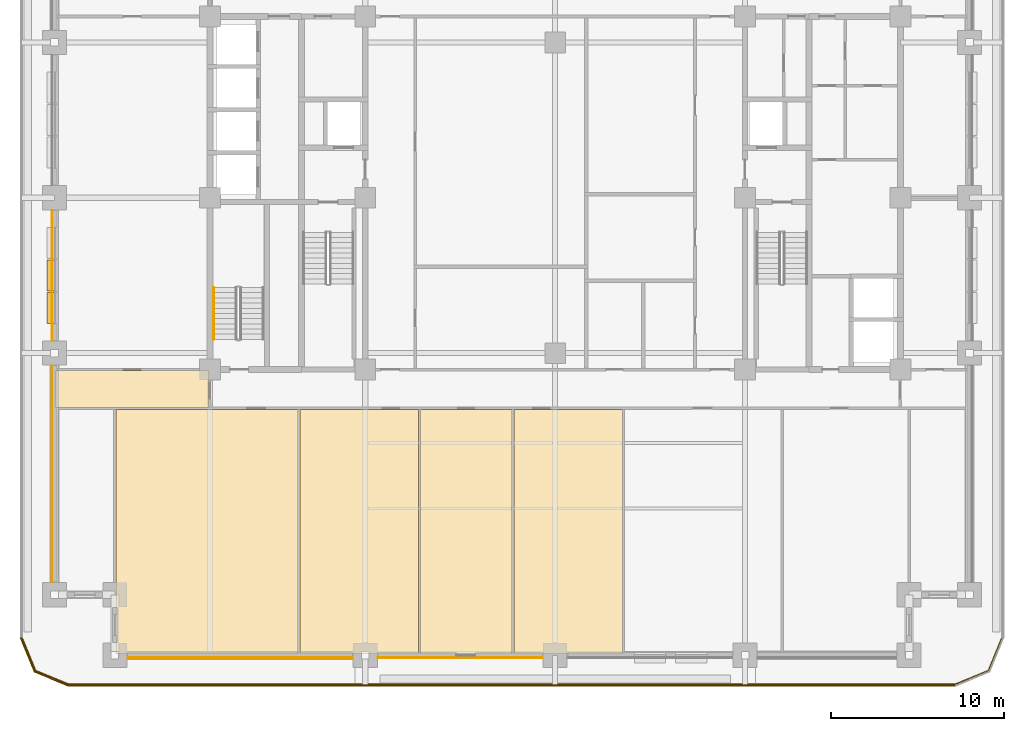
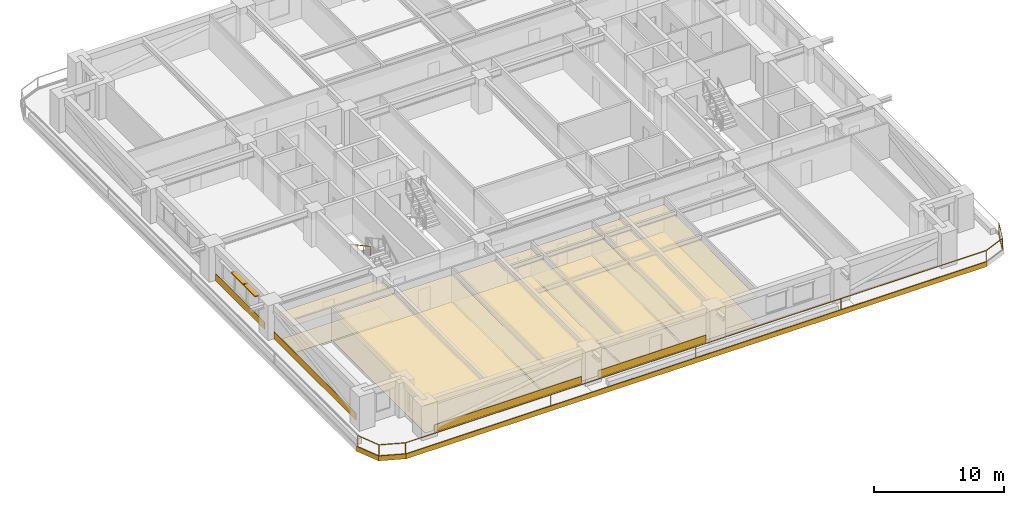
# One storey, part 8 of 16: 17 coverings, 2 railings, 2 shading devices.
"""IFC4 building model written with IfcOpenShell, lengths in metres."""

from ifc_helpers import new_model, si_unit, direction, frame, frame_2d, origin, origin_2d, place, context, subcontext, project, spatial, polyline, rectangle, outline, extrude, material, layer, layer_set, type_object, element, save


model = new_model("IFC4")

# Units and contexts
model_context = context("Model", 3, precision=1e-05, world=origin(), true_north=direction((0.0, 1.0)))
body_context = subcontext(model_context, "Body", "Model", "MODEL_VIEW")
ifc_project = project(units=[si_unit("LENGTHUNIT", "METRE"), si_unit("AREAUNIT", "SQUARE_METRE"), si_unit("VOLUMEUNIT", "CUBIC_METRE"), si_unit("PLANEANGLEUNIT", "RADIAN"), si_unit("MASSUNIT", "GRAM", prefix="KILO")], contexts=[model_context])

# Site, building, storey
site_placement = place(None, origin())
site = spatial("IfcSite", under=ifc_project, at=site_placement, CompositionType="ELEMENT")
building_placement = place(site_placement, origin())
building = spatial("IfcBuilding", under=site, at=building_placement, Name="Zulmaris Gate Convention Tower", CompositionType="ELEMENT")
storey_placement = place(building_placement, frame((0.0, 0.0, 67.89990234375)))
storey = spatial("IfcBuildingStorey", under=building, at=storey_placement, Name="L16", CompositionType="ELEMENT", Elevation=67.89990234375)

# Coverings
ifc_material_1 = material(Name="Precast concrete C40/50", Category="concrete")
ifc_layer_1 = layer(ifc_material_1, 0.0400390625, Name="Precast concrete C40/50")
ifc_layer_set_1 = layer_set([ifc_layer_1], Name="Precast concrete C40/50")
covering_type_1 = type_object("IfcCoveringType", Name="CLAD-SPANDREL-PRECAST", PredefinedType="CLADDING", material=ifc_layer_set_1)
covering_1_placement = place(storey_placement, frame((-24.77001953125, -26.64990234375, 0.0), z_axis=(0.0, 0.0, 1.0), x_axis=(1.0, 0.0, 0.0)))
element("IfcCovering", 1, at=covering_1_placement, inside=storey, type_object=covering_type_1, Name="CLD-L16-S-0_0", PredefinedType="CLADDING", context=body_context, shape_type="SweptSolid", body=[
    extrude(rectangle(XDim=13.0400390625, YDim=0.0400390625, at=frame_2d((6.52001953125, 0.0))), origin(), (0.0, 0.0, 1.0), 0.679931640625),
])
covering_2_placement = place(storey_placement, frame((-10.27001953125, -26.64990234375, 0.0), z_axis=(0.0, 0.0, 1.0), x_axis=(1.0, 0.0, 0.0)))
element("IfcCovering", 2, at=covering_2_placement, inside=storey, type_object=covering_type_1, Name="CLD-L16-S-1_0", PredefinedType="CLADDING", context=body_context, shape_type="SweptSolid", body=[
    extrude(rectangle(XDim=9.5400390625, YDim=0.0400390625, at=frame_2d((4.77001953125, 0.0))), origin(), (0.0, 0.0, 1.0), 0.679931640625),
])
covering_3_placement = place(storey_placement, frame((-29.14990234375, -9.72998046875, 0.0), z_axis=(0.0, 0.0, 1.0), x_axis=(0.0, -1.0, 0.0)))
element("IfcCovering", 3, at=covering_3_placement, inside=storey, type_object=covering_type_1, Name="CLD-L16-W-0_0", PredefinedType="CLADDING", context=body_context, shape_type="SweptSolid", body=[
    extrude(rectangle(XDim=12.5400390625, YDim=0.0400390625, at=frame_2d((6.27001953125, 0.0))), origin(), (0.0, 0.0, 1.0), 0.679931640625),
])
covering_4_placement = place(storey_placement, frame((-29.14990234375, -0.72998046875, 0.0), z_axis=(0.0, 0.0, 1.0), x_axis=(0.0, -1.0, 0.0)))
element("IfcCovering", 4, at=covering_4_placement, inside=storey, type_object=covering_type_1, Name="CLD-L16-W-1_0", PredefinedType="CLADDING", context=body_context, shape_type="SweptSolid", body=[
    extrude(rectangle(XDim=7.5400390625, YDim=0.0400390625, at=frame_2d((3.77001953125, 0.0))), origin(), (0.0, 0.0, 1.0), 0.679931640625),
])
ifc_material_2 = material(Name="White Glazed Architectural Precast Concrete C40/50", Category="concrete")
ifc_layer_2 = layer(ifc_material_2, 0.080078125, Name="White Glazed Architectural Precast Concrete C40/50")
ifc_layer_set_2 = layer_set([ifc_layer_2], Name="White Glazed Architectural Precast Concrete C40/50")
covering_type_2 = type_object("IfcCoveringType", Name="CLAD-TRAY-FASCIA", PredefinedType="CLADDING", material=ifc_layer_set_2)
covering_5_placement = place(storey_placement, frame((-30.962890625, -25.484619140625, -0.2900390625), z_axis=(0.0, 0.0, 1.0), x_axis=(0.382656984709, -0.923890487046, 0.0)))
element("IfcCovering", 5, at=covering_5_placement, inside=storey, type_object=covering_type_2, Name="FSC-L16-TR-00", PredefinedType="CLADDING", context=body_context, shape_type="SweptSolid", body=[
    extrude(rectangle(XDim=2.14306640625, YDim=0.080078125, at=frame_2d((1.071533203125, 0.0))), origin(), (0.0, 0.0, 1.0), 0.4599609375),
])
covering_6_placement = place(storey_placement, frame((-30.16455078125, -27.44287109375, -0.2900390625), z_axis=(0.0, 0.0, 1.0), x_axis=(0.923873803533, -0.382697263049, 0.0)))
element("IfcCovering", 6, at=covering_6_placement, inside=storey, type_object=covering_type_2, Name="FSC-L16-TR-01", PredefinedType="CLADDING", context=body_context, shape_type="SweptSolid", body=[
    extrude(rectangle(XDim=2.142822265625, YDim=0.080078125, at=frame_2d((1.0712890625, 0.0))), origin(), (0.0, 0.0, 1.0), 0.4599609375),
])
covering_7_placement = place(storey_placement, frame((-28.199951171875, -28.260009765625, -0.2900390625), z_axis=(0.0, 0.0, 1.0), x_axis=(1.0, 0.0, 0.0)))
element("IfcCovering", 7, at=covering_7_placement, inside=storey, type_object=covering_type_2, Name="FSC-L16-TR-02", PredefinedType="CLADDING", context=body_context, shape_type="SweptSolid", body=[
    extrude(rectangle(XDim=51.39990234375, YDim=0.080078125, at=frame_2d((25.699951171875, 0.0))), origin(), (0.0, 0.0, 1.0), 0.4599609375),
])
ifc_material_3 = material(Name="Mineral Fibre Acoustic Ceiling Tile")
ifc_layer_3 = layer(ifc_material_3, 0.02001953125, Name="Mineral Fibre Acoustic Ceiling Tile")
ifc_layer_set_3 = layer_set([ifc_layer_3], Name="Mineral Fibre Acoustic Ceiling Tile")
covering_type_3 = type_object("IfcCoveringType", Name="CLG-ACOUSTIC-600", PredefinedType="CEILING", material=ifc_layer_set_3)
covering_8_placement = place(storey_placement, frame((0.0, 0.0, 2.552978515625)))
element("IfcCovering", 8, at=covering_8_placement, inside=storey, type_object=covering_type_3, Name="CLG-L16-R40", PredefinedType="CEILING", context=body_context, shape_type="SweptSolid", body=[
    extrude(outline(polyline([(-25.43994140625, -26.43994140625), (-14.909912109375, -26.43994140625), (-14.909912109375, -12.260009765625), (-25.43994140625, -12.260009765625), (-25.43994140625, -26.43994140625)])), origin(), (0.0, 0.0, 1.0), 0.02001953125),
])
covering_9_placement = place(storey_placement, frame((0.0, 0.0, 2.552978515625)))
element("IfcCovering", 9, at=covering_9_placement, inside=storey, type_object=covering_type_3, Name="CLG-L16-R41", PredefinedType="CEILING", context=body_context, shape_type="SweptSolid", body=[
    extrude(outline(polyline([(-14.7900390625, -26.43994140625), (-7.909912109375, -26.43994140625), (-7.909912109375, -12.260009765625), (-14.7900390625, -12.260009765625), (-14.7900390625, -26.43994140625)])), origin(), (0.0, 0.0, 1.0), 0.02001953125),
])
covering_10_placement = place(storey_placement, frame((0.0, 0.0, 2.60498046875)))
element("IfcCovering", 10, at=covering_10_placement, inside=storey, type_object=covering_type_3, Name="CLG-L16-R42", PredefinedType="CEILING", context=body_context, shape_type="SweptSolid", body=[
    extrude(outline(polyline([(-7.7900390625, -26.43994140625), (-2.510009765625, -26.43994140625), (-2.510009765625, -12.260009765625), (-7.7900390625, -12.260009765625), (-7.7900390625, -26.43994140625)])), origin(), (0.0, 0.0, 1.0), 0.02001953125),
])
covering_11_placement = place(storey_placement, frame((0.0, 0.0, 2.552978515625)))
element("IfcCovering", 11, at=covering_11_placement, inside=storey, type_object=covering_type_3, Name="CLG-L16-R43", PredefinedType="CEILING", context=body_context, shape_type="SweptSolid", body=[
    extrude(outline(polyline([(-2.389892578125, -26.43994140625), (3.889892578125, -26.43994140625), (3.889892578125, -12.260009765625), (-2.389892578125, -12.260009765625), (-2.389892578125, -26.43994140625)])), origin(), (0.0, 0.0, 1.0), 0.02001953125),
])
covering_12_placement = place(storey_placement, frame((0.0, 0.0, 2.552978515625)))
element("IfcCovering", 12, at=covering_12_placement, inside=storey, type_object=covering_type_3, Name="CLG-L16-R53", PredefinedType="CEILING", context=body_context, shape_type="SweptSolid", body=[
    extrude(outline(polyline([(-28.93994140625, -12.139892578125), (-20.06005859375, -12.139892578125), (-20.06005859375, -10.010009765625), (-28.93994140625, -10.010009765625), (-28.93994140625, -12.139892578125)])), origin(), (0.0, 0.0, 1.0), 0.02001953125),
])
ifc_material_4 = material(Name="Woven Acoustic Wool Carpet Tile")
ifc_layer_4 = layer(ifc_material_4, 0.02001953125, Name="Woven Acoustic Wool Carpet Tile")
ifc_layer_set_4 = layer_set([ifc_layer_4], Name="Woven Acoustic Wool Carpet Tile")
covering_type_4 = type_object("IfcCoveringType", Name="FLR-CARPET-12", PredefinedType="FLOORING", material=ifc_layer_set_4)
covering_13_placement = place(storey_placement, origin())
element("IfcCovering", 13, at=covering_13_placement, inside=storey, type_object=covering_type_4, Name="FLR-L16-R40", PredefinedType="FLOORING", context=body_context, shape_type="SweptSolid", body=[
    extrude(outline(polyline([(-25.43994140625, -26.43994140625), (-14.909912109375, -26.43994140625), (-14.909912109375, -12.260009765625), (-25.43994140625, -12.260009765625), (-25.43994140625, -26.43994140625)])), origin(), (0.0, 0.0, 1.0), 0.02001953125),
])
covering_14_placement = place(storey_placement, origin())
element("IfcCovering", 14, at=covering_14_placement, inside=storey, type_object=covering_type_4, Name="FLR-L16-R41", PredefinedType="FLOORING", context=body_context, shape_type="SweptSolid", body=[
    extrude(outline(polyline([(-14.7900390625, -26.43994140625), (-7.909912109375, -26.43994140625), (-7.909912109375, -12.260009765625), (-14.7900390625, -12.260009765625), (-14.7900390625, -26.43994140625)])), origin(), (0.0, 0.0, 1.0), 0.02001953125),
])
covering_15_placement = place(storey_placement, origin())
element("IfcCovering", 15, at=covering_15_placement, inside=storey, type_object=covering_type_4, Name="FLR-L16-R42", PredefinedType="FLOORING", context=body_context, shape_type="SweptSolid", body=[
    extrude(outline(polyline([(-7.7900390625, -26.43994140625), (-2.510009765625, -26.43994140625), (-2.510009765625, -12.260009765625), (-7.7900390625, -12.260009765625), (-7.7900390625, -26.43994140625)])), origin(), (0.0, 0.0, 1.0), 0.02001953125),
])
covering_16_placement = place(storey_placement, origin())
element("IfcCovering", 16, at=covering_16_placement, inside=storey, type_object=covering_type_4, Name="FLR-L16-R43", PredefinedType="FLOORING", context=body_context, shape_type="SweptSolid", body=[
    extrude(outline(polyline([(-2.389892578125, -26.43994140625), (3.889892578125, -26.43994140625), (3.889892578125, -12.260009765625), (-2.389892578125, -12.260009765625), (-2.389892578125, -26.43994140625)])), origin(), (0.0, 0.0, 1.0), 0.02001953125),
])
covering_17_placement = place(storey_placement, origin())
element("IfcCovering", 17, at=covering_17_placement, inside=storey, type_object=covering_type_4, Name="FLR-L16-R53", PredefinedType="FLOORING", context=body_context, shape_type="SweptSolid", body=[
    extrude(outline(polyline([(-28.93994140625, -12.139892578125), (-20.06005859375, -12.139892578125), (-20.06005859375, -10.010009765625), (-28.93994140625, -10.010009765625), (-28.93994140625, -12.139892578125)])), origin(), (0.0, 0.0, 1.0), 0.02001953125),
])

# Railings
ifc_material_5 = material(Name="Laminated Glass and Stainless Steel", Category="steel")
railing_type_1 = type_object("IfcRailingType", Name="RL-BALC-1150", PredefinedType="BALUSTRADE", material=ifc_material_5)
railing_1_placement = place(storey_placement, frame((-30.8798828125, -25.5, 0.010009765625)))
element("IfcRailing", 18, at=railing_1_placement, inside=storey, type_object=railing_type_1, Name="RL-L16-BALC-S", PredefinedType="BALUSTRADE", context=body_context, shape_type="SweptSolid", body=[
    extrude(rectangle(XDim=0.048095703125, YDim=0.048095703125, at=origin_2d()), frame((0.0, 0.0, 1.1259765625), z_axis=(0.382670664694, -0.92388482095, 0.0), x_axis=(0.92388482095, 0.382670664694, 0.0)), (0.0, 0.0, 1.0), 2.051025390625),
    extrude(rectangle(XDim=0.048095703125, YDim=0.048095703125, at=origin_2d()), frame((0.0, 0.0, 0.02392578125), z_axis=(0.382670664694, -0.92388482095, 0.0), x_axis=(0.92388482095, 0.382670664694, 0.0)), (0.0, 0.0, 1.0), 2.051025390625),
    extrude(rectangle(XDim=0.048095703125, YDim=0.048095703125, at=origin_2d()), frame((0.784912109375, -1.89501953125, 1.1259765625), z_axis=(0.92388482095, -0.382670664694, 0.0), x_axis=(0.382670664694, 0.92388482095, 0.0)), (0.0, 0.0, 1.0), 2.051025390625),
    extrude(rectangle(XDim=0.048095703125, YDim=0.048095703125, at=origin_2d()), frame((0.784912109375, -1.89501953125, 0.02392578125), z_axis=(0.92388482095, -0.382670664694, 0.0), x_axis=(0.382670664694, 0.92388482095, 0.0)), (0.0, 0.0, 1.0), 2.051025390625),
    extrude(rectangle(XDim=0.048095703125, YDim=0.048095703125, at=origin_2d()), frame((2.679931640625, -2.679931640625, 1.1259765625), z_axis=(1.0, 0.0, 0.0), x_axis=(0.0, 1.0, 0.0)), (0.0, 0.0, 1.0), 51.39990234375),
    extrude(rectangle(XDim=0.048095703125, YDim=0.048095703125, at=origin_2d()), frame((2.679931640625, -2.679931640625, 0.02392578125), z_axis=(1.0, 0.0, 0.0), x_axis=(0.0, 1.0, 0.0)), (0.0, 0.0, 1.0), 51.39990234375),
    extrude(rectangle(XDim=0.048095703125, YDim=0.048095703125, at=origin_2d()), frame((54.079833984375, -2.679931640625, 1.1259765625), z_axis=(0.92388482095, 0.382670664694, 0.0), x_axis=(-0.382670664694, 0.92388482095, 0.0)), (0.0, 0.0, 1.0), 2.051025390625),
    extrude(rectangle(XDim=0.048095703125, YDim=0.048095703125, at=origin_2d()), frame((54.079833984375, -2.679931640625, 0.02392578125), z_axis=(0.92388482095, 0.382670664694, 0.0), x_axis=(-0.382670664694, 0.92388482095, 0.0)), (0.0, 0.0, 1.0), 2.051025390625),
    extrude(rectangle(XDim=0.048095703125, YDim=0.048095703125, at=origin_2d()), frame((55.974853515625, -1.89501953125, 1.1259765625), z_axis=(0.382670664694, 0.92388482095, 0.0), x_axis=(-0.92388482095, 0.382670664694, 0.0)), (0.0, 0.0, 1.0), 2.051025390625),
    extrude(rectangle(XDim=0.048095703125, YDim=0.048095703125, at=origin_2d()), frame((55.974853515625, -1.89501953125, 0.02392578125), z_axis=(0.382670664694, 0.92388482095, 0.0), x_axis=(-0.92388482095, 0.382670664694, 0.0)), (0.0, 0.0, 1.0), 2.051025390625),
    extrude(rectangle(XDim=0.0419921875, YDim=0.0419921875, at=origin_2d()), origin(), (0.0, 0.0, 1.0), 1.101806640625),
    extrude(rectangle(XDim=0.0419921875, YDim=0.0419921875, at=origin_2d()), frame((0.784912109375, -1.89501953125, 0.0)), (0.0, 0.0, 1.0), 1.101806640625),
    extrude(rectangle(XDim=0.0419921875, YDim=0.0419921875, at=origin_2d()), frame((2.679931640625, -2.679931640625, 0.0)), (0.0, 0.0, 1.0), 1.101806640625),
    extrude(rectangle(XDim=0.0419921875, YDim=0.0419921875, at=origin_2d()), frame((15.52978515625, -2.679931640625, 0.0)), (0.0, 0.0, 1.0), 1.101806640625),
    extrude(rectangle(XDim=0.0419921875, YDim=0.0419921875, at=origin_2d()), frame((28.3798828125, -2.679931640625, 0.0)), (0.0, 0.0, 1.0), 1.101806640625),
    extrude(rectangle(XDim=0.0419921875, YDim=0.0419921875, at=origin_2d()), frame((41.22998046875, -2.679931640625, 0.0)), (0.0, 0.0, 1.0), 1.101806640625),
    extrude(rectangle(XDim=0.0419921875, YDim=0.0419921875, at=origin_2d()), frame((54.079833984375, -2.679931640625, 0.0)), (0.0, 0.0, 1.0), 1.101806640625),
    extrude(rectangle(XDim=0.0419921875, YDim=0.0419921875, at=origin_2d()), frame((55.974853515625, -1.89501953125, 0.0)), (0.0, 0.0, 1.0), 1.101806640625),
    extrude(rectangle(XDim=0.0419921875, YDim=0.0419921875, at=origin_2d()), frame((56.759765625, 0.0, 0.0)), (0.0, 0.0, 1.0), 1.101806640625),
])
ifc_material_6 = material(Name="Brushed Stainless Steel", Category="steel")
railing_type_2 = type_object("IfcRailingType", Name="RL-STH-900", PredefinedType="HANDRAIL", material=ifc_material_6)
railing_2_placement = place(storey_placement, frame((-19.77001953125, -5.199951171875, 1.947265625)))
element("IfcRailing", 19, at=railing_2_placement, inside=storey, type_object=railing_type_2, Name="L16 ST-3 stair handrail 2", PredefinedType="HANDRAIL", context=body_context, shape_type="SweptSolid", body=[
    extrude(rectangle(XDim=0.048095703125, YDim=0.048095703125, at=origin_2d()), frame((0.0, 0.0, 0.8759765625), z_axis=(0.0, -0.8795616155, 0.475784998228), x_axis=(1.0, 0.0, 0.0)), (0.0, 0.0, 1.0), 3.410888671875),
    extrude(rectangle(XDim=0.0419921875, YDim=0.0419921875, at=origin_2d()), origin(), (0.0, 0.0, 1.0), 0.851806640625),
    extrude(rectangle(XDim=0.0419921875, YDim=0.0419921875, at=origin_2d()), frame((0.0, -1.0, 0.541015625)), (0.0, 0.0, 1.0), 0.851806640625),
    extrude(rectangle(XDim=0.0419921875, YDim=0.0419921875, at=origin_2d()), frame((0.0, -2.0, 1.081787109375)), (0.0, 0.0, 1.0), 0.851806640625),
    extrude(rectangle(XDim=0.0419921875, YDim=0.0419921875, at=origin_2d()), frame((0.0, -3.0, 1.622802734375)), (0.0, 0.0, 1.0), 0.851806640625),
])

# Shading devices
ifc_material_7 = material(Name="Glazed Ceramic Terracotta", Category="masonry")
ifc_layer_5 = layer(ifc_material_7, 0.070068359375, Name="Glazed Ceramic Terracotta")
ifc_layer_set_5 = layer_set([ifc_layer_5], Name="Glazed Ceramic Terracotta")
shading_device_type = type_object("IfcShadingDeviceType", Name="SHD-SUNSHADE-TC", PredefinedType="AWNING", material=ifc_layer_set_5)
for number, where, z_axis, x_axis, name in (
    (20, (-29.219970703125, -3.60009765625, 2.530029296875), (0.0, 0.0, 1.0), (0.0, -1.0, 0.0), "SHD-EW-L16-W-1_0-2"),
    (21, (-29.219970703125, -5.485107421875, 2.530029296875), (0.0, 0.0, 1.0), (0.0, -1.0, 0.0), "SHD-EW-L16-W-1_0-3"),
):
    element("IfcShadingDevice", number, at=place(storey_placement, frame(where, z_axis=z_axis, x_axis=x_axis)), inside=storey, type_object=shading_device_type, Name=name, PredefinedType="AWNING", context=body_context, shape_type="SweptSolid", body=[
        extrude(rectangle(XDim=1.7998046875, YDim=0.43994140625, at=frame_2d((0.89990234375, 0.0))), origin(), (0.0, 0.0, 1.0), 0.070068359375),
    ])

save(model, "model.ifc")
